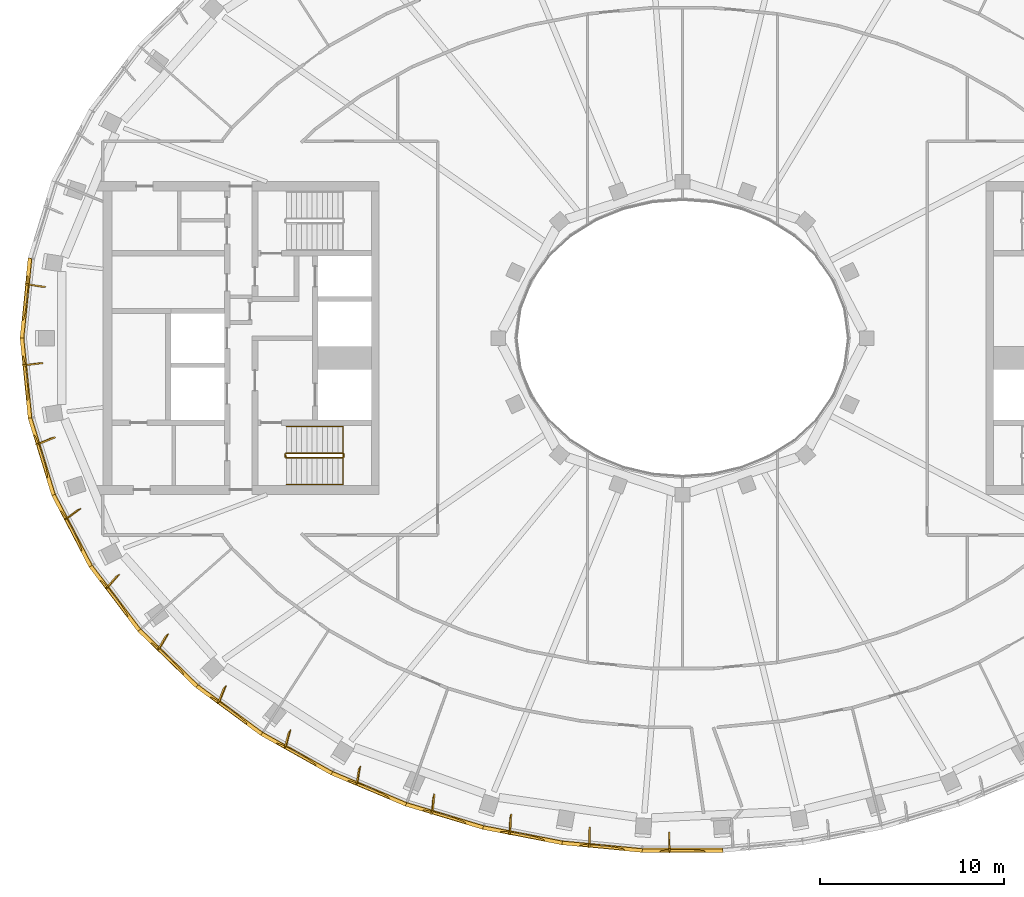
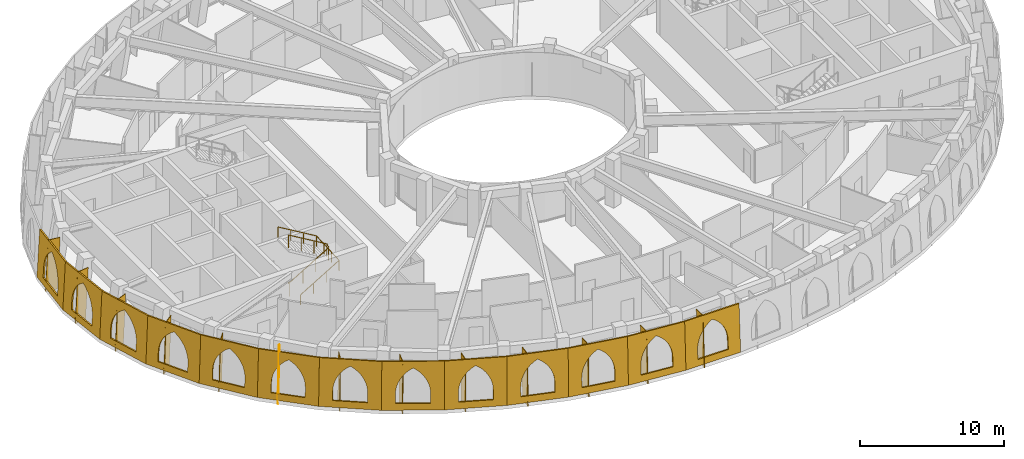
# One storey, part 12 of 15: 26 coverings, 2 railings.
"""IFC4 building model written with IfcOpenShell, lengths in metres."""

from ifc_helpers import new_model, si_unit, direction, frame, origin, origin_2d, place, context, subcontext, project, spatial, polyline, rectangle, outline, extrude, material, layer, layer_set, type_object, element, save


model = new_model("IFC4")

# Units and contexts
model_context = context("Model", 3, precision=1e-05, world=origin(), true_north=direction((0.0, 1.0)))
body_context = subcontext(model_context, "Body", "Model", "MODEL_VIEW")
ifc_project = project(units=[si_unit("LENGTHUNIT", "METRE"), si_unit("AREAUNIT", "SQUARE_METRE"), si_unit("VOLUMEUNIT", "CUBIC_METRE"), si_unit("PLANEANGLEUNIT", "RADIAN"), si_unit("MASSUNIT", "GRAM", prefix="KILO")], contexts=[model_context])

# Site, building, storey
site_placement = place(None, origin())
site = spatial("IfcSite", under=ifc_project, at=site_placement, CompositionType="ELEMENT")
building_placement = place(site_placement, origin())
building = spatial("IfcBuilding", under=site, at=building_placement, Name="Noorbagh Ring Tower", CompositionType="ELEMENT")
storey_placement = place(building_placement, frame((0.0, 0.0, 331.0)))
storey = spatial("IfcBuildingStorey", under=building, at=storey_placement, Name="L72", CompositionType="ELEMENT", Elevation=331.0)

# Railings
ifc_material_1 = material(Name="Stainless steel", Category="steel")
railing_type_1 = type_object("IfcRailingType", Name="CORE-STAIR-GUARD", PredefinedType="GUARDRAIL", material=ifc_material_1)
railing_1_placement = place(storey_placement, frame((-21.580078125, -6.449951171875, 0.0)))
element("IfcRailing", 1, at=railing_1_placement, inside=storey, type_object=railing_type_1, Name="L72 ST2 stair guard", PredefinedType="GUARDRAIL", context=body_context, shape_type="SweptSolid", body=[
    extrude(rectangle(XDim=0.048095703125, YDim=0.048095703125, at=origin_2d()), frame((0.0, 0.0, 1.076171875), z_axis=(0.0, 1.0, 0.0), x_axis=(-1.0, 0.0, 0.0)), (0.0, 0.0, 1.0), 0.14990234375),
    extrude(rectangle(XDim=0.048095703125, YDim=0.048095703125, at=origin_2d()), frame((0.0, 0.14990234375, 1.076171875), z_axis=(0.188775798145, -0.754182335027, 0.628945707965), x_axis=(0.970072785993, 0.242814311512, 0.0)), (0.0, 0.0, 1.0), 0.26513671875),
    extrude(rectangle(XDim=0.048095703125, YDim=0.048095703125, at=origin_2d()), frame((0.050048828125, -0.050048828125, 1.24267578125), z_axis=(0.859308565015, 0.0, 0.511457515432), x_axis=(0.0, 1.0, 0.0)), (0.0, 0.0, 1.0), 3.58447265625),
    extrude(rectangle(XDim=0.048095703125, YDim=0.048095703125, at=origin_2d()), frame((3.130126953125, -0.050048828125, 3.076171875), z_axis=(0.707106781187, 0.707106781187, 0.0), x_axis=(-0.707106781187, 0.707106781187, 0.0)), (0.0, 0.0, 1.0), 0.07080078125),
    extrude(rectangle(XDim=0.048095703125, YDim=0.048095703125, at=origin_2d()), frame((3.18017578125, 0.0, 3.076171875), z_axis=(0.0, 1.0, 0.0), x_axis=(-1.0, 0.0, 0.0)), (0.0, 0.0, 1.0), 0.14990234375),
    extrude(rectangle(XDim=0.048095703125, YDim=0.048095703125, at=origin_2d()), frame((3.18017578125, 0.14990234375, 3.076171875), z_axis=(-0.27628659633, 0.27628659633, 0.920506074601), x_axis=(-0.707106781187, -0.707106781187, 0.0)), (0.0, 0.0, 1.0), 0.18115234375),
    extrude(rectangle(XDim=0.048095703125, YDim=0.048095703125, at=origin_2d()), frame((3.130126953125, 0.199951171875, 3.24267578125), z_axis=(-0.859308565015, 0.0, 0.511457515432), x_axis=(0.0, -1.0, 0.0)), (0.0, 0.0, 1.0), 3.58447265625),
    extrude(rectangle(XDim=0.0419921875, YDim=0.0419921875, at=origin_2d()), origin(), (0.0, 0.0, 1.0), 1.052001953125),
    extrude(rectangle(XDim=0.0419921875, YDim=0.0419921875, at=origin_2d()), frame((1.07666015625, -0.050048828125, 0.77783203125)), (0.0, 0.0, 1.0), 1.052001953125),
    extrude(rectangle(XDim=0.0419921875, YDim=0.0419921875, at=origin_2d()), frame((2.103515625, -0.050048828125, 1.388916015625)), (0.0, 0.0, 1.0), 1.052001953125),
    extrude(rectangle(XDim=0.0419921875, YDim=0.0419921875, at=origin_2d()), frame((3.130126953125, -0.050048828125, 2.0)), (0.0, 0.0, 1.0), 1.052001953125),
    extrude(rectangle(XDim=0.0419921875, YDim=0.0419921875, at=origin_2d()), frame((3.130126953125, 0.199951171875, 2.166748046875)), (0.0, 0.0, 1.0), 1.052001953125),
    extrude(rectangle(XDim=0.0419921875, YDim=0.0419921875, at=origin_2d()), frame((2.103515625, 0.199951171875, 2.77783203125)), (0.0, 0.0, 1.0), 1.052001953125),
    extrude(rectangle(XDim=0.0419921875, YDim=0.0419921875, at=origin_2d()), frame((1.07666015625, 0.199951171875, 3.388916015625)), (0.0, 0.0, 1.0), 1.052001953125),
    extrude(rectangle(XDim=0.0419921875, YDim=0.0419921875, at=origin_2d()), frame((0.050048828125, 0.199951171875, 4.0)), (0.0, 0.0, 1.0), 1.052001953125),
])
ifc_material_2 = material(Name="Stainless steel", Category="steel")
railing_type_2 = type_object("IfcRailingType", Name="CORE-STAIR-HANDRAIL", PredefinedType="HANDRAIL", material=ifc_material_2)
railing_2_placement = place(storey_placement, frame((-21.530029296875, -7.949951171875, 0.166748046875)))
element("IfcRailing", 2, at=railing_2_placement, inside=storey, type_object=railing_type_2, Name="L72 ST2 stair handrail", PredefinedType="HANDRAIL", context=body_context, shape_type="SweptSolid", body=[
    extrude(rectangle(XDim=0.048095703125, YDim=0.048095703125, at=origin_2d()), frame((0.0, 0.0, 0.8759765625), z_axis=(0.859308565015, 0.0, 0.511457515432), x_axis=(0.0, 1.0, 0.0)), (0.0, 0.0, 1.0), 3.58447265625),
    extrude(rectangle(XDim=0.048095703125, YDim=0.048095703125, at=origin_2d()), frame((3.080078125, 0.0, 2.708984375), z_axis=(0.0, 0.998601747152, 0.052863509014), x_axis=(-1.0, 0.0, 0.0)), (0.0, 0.0, 1.0), 3.154296875),
    extrude(rectangle(XDim=0.048095703125, YDim=0.048095703125, at=origin_2d()), frame((3.080078125, 3.14990234375, 2.8759765625), z_axis=(-0.859308565015, 0.0, 0.511457515432), x_axis=(0.0, -1.0, 0.0)), (0.0, 0.0, 1.0), 3.58447265625),
    extrude(rectangle(XDim=0.0419921875, YDim=0.0419921875, at=origin_2d()), origin(), (0.0, 0.0, 1.0), 0.851806640625),
    extrude(rectangle(XDim=0.0419921875, YDim=0.0419921875, at=origin_2d()), frame((1.026611328125, 0.0, 0.611083984375)), (0.0, 0.0, 1.0), 0.851806640625),
    extrude(rectangle(XDim=0.0419921875, YDim=0.0419921875, at=origin_2d()), frame((2.053466796875, 0.0, 1.22216796875)), (0.0, 0.0, 1.0), 0.851806640625),
    extrude(rectangle(XDim=0.0419921875, YDim=0.0419921875, at=origin_2d()), frame((3.080078125, 0.0, 1.833251953125)), (0.0, 0.0, 1.0), 0.851806640625),
    extrude(rectangle(XDim=0.0419921875, YDim=0.0419921875, at=origin_2d()), frame((3.080078125, 1.050048828125, 1.888916015625)), (0.0, 0.0, 1.0), 0.851806640625),
    extrude(rectangle(XDim=0.0419921875, YDim=0.0419921875, at=origin_2d()), frame((3.080078125, 2.099853515625, 1.9443359375)), (0.0, 0.0, 1.0), 0.851806640625),
    extrude(rectangle(XDim=0.0419921875, YDim=0.0419921875, at=origin_2d()), frame((3.080078125, 3.14990234375, 2.0)), (0.0, 0.0, 1.0), 0.851806640625),
    extrude(rectangle(XDim=0.0419921875, YDim=0.0419921875, at=origin_2d()), frame((2.053466796875, 3.14990234375, 2.611083984375)), (0.0, 0.0, 1.0), 0.851806640625),
    extrude(rectangle(XDim=0.0419921875, YDim=0.0419921875, at=origin_2d()), frame((1.026611328125, 3.14990234375, 3.22216796875)), (0.0, 0.0, 1.0), 0.851806640625),
    extrude(rectangle(XDim=0.0419921875, YDim=0.0419921875, at=origin_2d()), frame((0.0, 3.14990234375, 3.833251953125)), (0.0, 0.0, 1.0), 0.851806640625),
])

# Coverings
ifc_material_3 = material(Name="Aluminium 6063-T6 black anodised", Category="aluminium")
ifc_layer_1 = layer(ifc_material_3, 0.050048828125)
ifc_layer_set_1 = layer_set([ifc_layer_1], Name="Aluminium 6063-T6 black anodised")
covering_type_1 = type_object("IfcCoveringType", Name="STYLE-HEAD-FIN", PredefinedType="CLADDING", material=ifc_layer_set_1)
covering_1_placement = place(storey_placement, frame((-35.72314453125, 2.9072265625, -0.31494140625), z_axis=(-0.147437986241, -0.989068809266, 0.00222052913), x_axis=(0.049724271434, -0.005170008208, 0.998749602175)))
element("IfcCovering", 3, at=covering_1_placement, inside=storey, type_object=covering_type_1, Name="Fin rib F23 L72", ObjectType="FIN", PredefinedType="CLADDING", context=body_context, shape_type="SweptSolid", body=[
    extrude(outline(polyline([(0.0, 0.0), (4.320343822865375, 0.0), (4.365291864397006, -0.8988671743970689), (0.04494677932259461, -0.8988311968471917), (0.0, 0.0)])), origin(), (0.0, 0.0, -1.0), 0.050048828125),
])
covering_2_placement = place(storey_placement, frame((-35.869384765625, -1.45458984375, -0.31494140625), z_axis=(-0.123967256575, 0.992280578887, 0.003372248733), x_axis=(0.049785220791, 0.002825494937, 0.998755950355)))
element("IfcCovering", 4, at=covering_2_placement, inside=storey, type_object=covering_type_1, Name="Fin rib F24 L72", ObjectType="FIN", PredefinedType="CLADDING", context=body_context, shape_type="SweptSolid", body=[
    extrude(outline(polyline([(0.0, 0.0), (4.320316093953795, -2.7755575615628914e-17), (4.3650928490417416, 0.8988943311829148), (0.04477675508794575, 0.8988943311829148), (0.0, 0.0)])), origin(), (0.0, 0.0, -1.0), 0.050048828125),
])
covering_3_placement = place(storey_placement, frame((-35.1494140625, -5.760009765625, -0.31494140625), z_axis=(-0.380407755071, 0.924777355376, 0.008762583256), x_axis=(0.048612859224, 0.01053331601, 0.998762153454)))
element("IfcCovering", 5, at=covering_3_placement, inside=storey, type_object=covering_type_1, Name="Fin rib F25 L72", ObjectType="FIN", PredefinedType="CLADDING", context=body_context, shape_type="SweptSolid", body=[
    extrude(outline(polyline([(0.0, 0.0), (4.320287863567138, -5.551115123125783e-17), (4.36436441605748, 0.8990579126163802), (0.04406725572686171, 0.8989253009266853), (0.0, 0.0)])), origin(), (0.0, 0.0, -1.0), 0.050048828125),
])
covering_4_placement = place(storey_placement, frame((-33.61962890625, -9.851318359375, -0.31494140625), z_axis=(-0.594792868756, 0.803770481787, 0.013208174929), x_axis=(0.046328594773, 0.017870818806, 0.99876638667)))
element("IfcCovering", 6, at=covering_4_placement, inside=storey, type_object=covering_type_1, Name="Fin rib F26 L72", ObjectType="FIN", PredefinedType="CLADDING", context=body_context, shape_type="SweptSolid", body=[
    extrude(outline(polyline([(0.0, 0.0), (4.320271910268459, 0.0), (4.363353534281039, 0.8989375491541148), (0.04309293470466303, 0.8991334824790429), (0.0, 0.0)])), origin(), (0.0, 0.0, -1.0), 0.050048828125),
])
covering_5_placement = place(storey_placement, frame((-31.385009765625, -13.608642578125, -0.31494140625), z_axis=(-0.755214781516, 0.655269855321, 0.016493953047), x_axis=(0.043131535722, 0.024569958976, 0.998767234015)))
element("IfcCovering", 7, at=covering_5_placement, inside=storey, type_object=covering_type_1, Name="Fin rib F27 L72", ObjectType="FIN", PredefinedType="CLADDING", context=body_context, shape_type="SweptSolid", body=[
    extrude(outline(polyline([(0.0, 0.0), (4.320265963841156, 0.0), (4.362406724606096, 0.8989521104898888), (0.04214675929008034, 0.8991364354869462), (0.0, 0.0)])), origin(), (0.0, 0.0, -1.0), 0.050048828125),
])
covering_6_placement = place(storey_placement, frame((-28.5703125, -16.95751953125, -0.31494140625), z_axis=(-0.863729704312, 0.503616267605, 0.018483854928), x_axis=(0.039140773983, 0.03047150993, 0.998768985749)))
element("IfcCovering", 8, at=covering_6_placement, inside=storey, type_object=covering_type_1, Name="Fin rib F28 L72", ObjectType="FIN", PredefinedType="CLADDING", context=body_context, shape_type="SweptSolid", body=[
    extrude(outline(polyline([(0.0, 0.0), (4.320261658778037, 0.0), (4.361684159786144, 0.8988157411742396), (0.04143205686112905, 0.8989384054998826), (0.0, 0.0)])), origin(), (0.0, 0.0, -1.0), 0.050048828125),
])
covering_7_placement = place(storey_placement, frame((-25.29541015625, -19.862548828125, -0.31494140625), z_axis=(-0.930726653952, 0.365211551667, 0.019194221858), x_axis=(0.034550445535, 0.035558580398, 0.998770170797)))
element("IfcCovering", 9, at=covering_7_placement, inside=storey, type_object=covering_type_1, Name="Fin rib F29 L72", ObjectType="FIN", PredefinedType="CLADDING", context=body_context, shape_type="SweptSolid", body=[
    extrude(outline(polyline([(0.0, 0.0), (4.320257621679663, 0.0), (4.361405558109073, 0.8990852075184764), (0.04114769030273465, 0.8989469835674277), (0.0, 0.0)])), origin(), (0.0, 0.0, -1.0), 0.050048828125),
])
covering_8_placement = place(storey_placement, frame((-21.665283203125, -22.312744140625, -0.31494140625), z_axis=(-0.96817608092, 0.249571867315, 0.018680454453), x_axis=(0.029554993028, 0.039896415062, 0.998766628624)))
element("IfcCovering", 10, at=covering_8_placement, inside=storey, type_object=covering_type_1, Name="Fin rib F30 L72", ObjectType="FIN", PredefinedType="CLADDING", context=body_context, shape_type="SweptSolid", body=[
    extrude(outline(polyline([(0.0, 0.0), (4.320269903486906, 2.7755575615628914e-17), (4.361671490142717, 0.8988687332414541), (0.04140158665581105, 0.8988687332414541), (0.0, 0.0)])), origin(), (0.0, 0.0, -1.0), 0.050048828125),
])
covering_9_placement = place(storey_placement, frame((-17.7666015625, -24.311279296875, -0.31494140625), z_axis=(-0.987102798737, 0.159183885401, 0.016986917159), x_axis=(0.024186454971, 0.043399993966, 0.998764965305)))
element("IfcCovering", 11, at=covering_9_placement, inside=storey, type_object=covering_type_1, Name="Fin rib F31 L72", ObjectType="FIN", PredefinedType="CLADDING", context=body_context, shape_type="SweptSolid", body=[
    extrude(outline(polyline([(0.0, 0.0), (4.32027709836062, 0.0), (4.362311626462117, 0.8991711253754271), (0.04203452810149622, 0.8991711253754269), (0.0, 0.0)])), origin(), (0.0, 0.0, -1.0), 0.050048828125),
])
covering_10_placement = place(storey_placement, frame((-13.669921875, -25.86669921875, -0.31494140625), z_axis=(-0.995610291718, 0.092495057751, 0.014311230426), x_axis=(0.018650887525, 0.046224902455, 0.998756928781)))
element("IfcCovering", 12, at=covering_10_placement, inside=storey, type_object=covering_type_1, Name="Fin rib F32 L72", ObjectType="FIN", PredefinedType="CLADDING", context=body_context, shape_type="SweptSolid", body=[
    extrude(outline(polyline([(0.0, 0.0), (4.320311699795511, 2.7755575615628914e-17), (4.363281754643001, 0.8988289392166375), (0.04298134022406647, 0.8990717711488562), (0.0, 0.0)])), origin(), (0.0, 0.0, -1.0), 0.050048828125),
])
covering_11_placement = place(storey_placement, frame((-9.43310546875, -26.98876953125, -0.31494140625), z_axis=(-0.998904517796, 0.045571204071, 0.010631542043), x_axis=(0.012829023445, 0.048202848236, 0.998755175996)))
element("IfcCovering", 13, at=covering_11_placement, inside=storey, type_object=covering_type_1, Name="Fin rib F33 L72", ObjectType="FIN", PredefinedType="CLADDING", context=body_context, shape_type="SweptSolid", body=[
    extrude(outline(polyline([(0.0, 0.0), (4.320319384381297, 2.7755575615628914e-17), (4.364176357805257, 0.89879163744508), (0.043868741697455006, 0.8990352403380919), (0.0, 0.0)])), origin(), (0.0, 0.0, -1.0), 0.050048828125),
])
covering_12_placement = place(storey_placement, frame((-5.105712890625, -27.685791015625, -0.31494140625), z_axis=(-0.99989718211, 0.012885272965, 0.006292451678), x_axis=(0.006922445275, 0.049446360211, 0.998752790841)))
element("IfcCovering", 14, at=covering_12_placement, inside=storey, type_object=covering_type_1, Name="Fin rib F34 L72", ObjectType="FIN", PredefinedType="CLADDING", context=body_context, shape_type="SweptSolid", body=[
    extrude(outline(polyline([(0.0, 0.0), (4.320330530098316, 2.7755575615628914e-17), (4.364906857897705, 0.8988708645010566), (0.0445780178495053, 0.8988739304345287), (0.0, 0.0)])), origin(), (0.0, 0.0, -1.0), 0.050048828125),
])
covering_13_placement = place(storey_placement, frame((-0.731201171875, -27.9638671875, -0.31494140625), z_axis=(-0.999929228315, -0.011798975026, 0.001523991495), x_axis=(0.000932076751, 0.050010535602, 0.998748255349)))
element("IfcCovering", 15, at=covering_13_placement, inside=storey, type_object=covering_type_1, Name="Fin rib F35 L72", ObjectType="FIN", PredefinedType="CLADDING", context=body_context, shape_type="SweptSolid", body=[
    extrude(outline(polyline([(0.0, 0.0), (4.320349568931261, -2.7755575615628914e-17), (4.365344154588084, 0.8988409730802553), (0.04500702281804181, 0.8990818955830328), (0.0, 0.0)])), origin(), (0.0, 0.0, -1.0), 0.050048828125),
])
ifc_material_4 = material(Name="Red sandstone jali", Category="masonry")
ifc_layer_2 = layer(ifc_material_4, 0.1201171875)
ifc_layer_set_2 = layer_set([ifc_layer_2], Name="Red sandstone jali")
covering_type_2 = type_object("IfcCoveringType", Name="STYLE-HEAD-SKIN", PredefinedType="CLADDING", material=ifc_layer_set_2)
covering_14_placement = place(storey_placement, frame((-35.561279296875, 4.358642578125, 0.0), z_axis=(-0.993725252592, 0.10004845283, 0.050004294287), x_axis=(-0.100173708751, -0.994969963403, 1.228284e-06)))
element("IfcCovering", 16, at=covering_14_placement, inside=storey, type_object=covering_type_2, Name="Head skin panel", ObjectType="HEAD SKIN", PredefinedType="CLADDING", context=body_context, shape_type="SweptSolid", body=[
    extrude(outline(polyline([(0.0, 0.0), (4.380615234375, 0.0), (4.360595703125, 4.005126953125), (0.01123046875, 4.005126953125), (0.0, 0.0)]), holes=[polyline([(0.971923828125, 0.550048828125), (0.970947265625, 1.345703125), (0.991455078125, 1.66357421875), (1.05322265625, 1.97607421875), (1.155517578125, 2.27783203125), (1.2958984375, 2.563720703125), (1.47265625, 2.82861328125), (1.6826171875, 3.068115234375), (1.921875, 3.278076171875), (2.1865234375, 3.455078125), (2.45166015625, 3.278076171875), (2.69140625, 3.068115234375), (2.901611328125, 2.82861328125), (3.0791015625, 2.563720703125), (3.22021484375, 2.27783203125), (3.322998046875, 1.97607421875), (3.385498046875, 1.66357421875), (3.40673828125, 1.345703125), (3.40771484375, 0.550048828125), (0.971923828125, 0.550048828125)])]), origin(), (0.0, 0.0, -1.0), 0.1201171875),
])
covering_15_placement = place(storey_placement, frame((-36.0, 0.0, 0.0), z_axis=(-0.993734277781, -0.100049361488, 0.049822790254), x_axis=(0.100173709194, -0.994969963358, -1.223837e-06)))
element("IfcCovering", 17, at=covering_15_placement, inside=storey, type_object=covering_type_2, Name="Head skin panel", ObjectType="HEAD SKIN", PredefinedType="CLADDING", context=body_context, shape_type="SweptSolid", body=[
    extrude(outline(polyline([(0.0, 0.0), (4.380615234375, 0.0), (4.369384765625, 4.0048828125), (0.02001953125, 4.0048828125), (0.0, 0.0)]), holes=[polyline([(0.97314453125, 0.550048828125), (0.97412109375, 1.345703125), (0.9951171875, 1.66357421875), (1.0576171875, 1.97607421875), (1.160400390625, 2.27783203125), (1.3017578125, 2.5634765625), (1.47900390625, 2.828369140625), (1.689208984375, 3.068115234375), (1.92919921875, 3.278076171875), (2.194091796875, 3.455078125), (2.458984375, 3.278076171875), (2.6982421875, 3.068115234375), (2.907958984375, 2.828369140625), (3.084716796875, 2.5634765625), (3.225341796875, 2.27783203125), (3.327392578125, 1.97607421875), (3.38916015625, 1.66357421875), (3.40966796875, 1.345703125), (3.40869140625, 0.550048828125), (0.97314453125, 0.550048828125)])]), origin(), (0.0, 0.0, -1.0), 0.1201171875),
])
covering_16_placement = place(storey_placement, frame((-35.561279296875, -4.358642578125, 0.0), z_axis=(-0.955189691899, -0.291812321825, 0.049580453014), x_axis=(0.29217173801, -0.956365869061, 1.767766e-06)))
element("IfcCovering", 18, at=covering_16_placement, inside=storey, type_object=covering_type_2, Name="Head skin panel", ObjectType="HEAD SKIN", PredefinedType="CLADDING", context=body_context, shape_type="SweptSolid", body=[
    extrude(outline(polyline([(0.0, 0.0), (4.38134765625, 0.0), (4.378662109375, 4.0048828125), (0.028076171875, 4.0048828125), (0.0, 0.0)]), holes=[polyline([(0.97412109375, 0.550048828125), (0.976806640625, 1.34521484375), (0.99853515625, 1.6630859375), (1.061767578125, 1.9755859375), (1.1650390625, 2.27734375), (1.306884765625, 2.563232421875), (1.48486328125, 2.828125), (1.69580078125, 3.06787109375), (1.93603515625, 3.27783203125), (2.20166015625, 3.455078125), (2.466064453125, 3.27783203125), (2.704833984375, 3.06787109375), (2.914306640625, 2.828125), (3.090576171875, 2.563232421875), (3.23046875, 2.27734375), (3.33203125, 1.9755859375), (3.393310546875, 1.6630859375), (3.4130859375, 1.34521484375), (3.410400390625, 0.550048828125), (0.97412109375, 0.550048828125)])]), origin(), (0.0, 0.0, -1.0), 0.1201171875),
])
covering_17_placement = place(storey_placement, frame((-34.281005859375, -8.548828125, 0.0), z_axis=(-0.885655776281, -0.461713503039, 0.049340521399), x_axis=(0.462276558435, -0.886735802549, 2.13863e-07)))
element("IfcCovering", 19, at=covering_17_placement, inside=storey, type_object=covering_type_2, Name="Head skin panel", ObjectType="HEAD SKIN", PredefinedType="CLADDING", context=body_context, shape_type="SweptSolid", body=[
    extrude(outline(polyline([(0.0, 0.0), (4.38232421875, 0.0), (4.38623046875, 4.0048828125), (0.033935546875, 4.0048828125), (0.0, 0.0)]), holes=[polyline([(0.97509765625, 0.550048828125), (0.97900390625, 1.343994140625), (1.001220703125, 1.662353515625), (1.06494140625, 1.97509765625), (1.168701171875, 2.27685546875), (1.311279296875, 2.562744140625), (1.489501953125, 2.827880859375), (1.700927734375, 3.067626953125), (1.941650390625, 3.27783203125), (2.20751953125, 3.454833984375), (2.4716796875, 3.27783203125), (2.71044921875, 3.067626953125), (2.919677734375, 2.827880859375), (3.095458984375, 2.562744140625), (3.235107421875, 2.27685546875), (3.336181640625, 1.97509765625), (3.39697265625, 1.662353515625), (3.416259765625, 1.343994140625), (3.412353515625, 0.550048828125), (0.97509765625, 0.550048828125)])]), origin(), (0.0, 0.0, -1.0), 0.1201171875),
])
covering_18_placement = place(storey_placement, frame((-32.255126953125, -12.434814453125, 0.0), z_axis=(-0.79599848454, -0.603298925036, 0.049161160085), x_axis=(0.604029260729, -0.796962139742, -5.29737e-07)))
element("IfcCovering", 20, at=covering_18_placement, inside=storey, type_object=covering_type_2, Name="Head skin panel", ObjectType="HEAD SKIN", PredefinedType="CLADDING", context=body_context, shape_type="SweptSolid", body=[
    extrude(outline(polyline([(0.0, 0.0), (4.383056640625, 0.0), (4.39208984375, 4.0048828125), (0.037353515625, 4.0048828125), (0.0, 0.0)]), holes=[polyline([(0.9755859375, 0.550048828125), (0.980224609375, 1.343017578125), (1.0029296875, 1.661376953125), (1.06689453125, 1.97412109375), (1.171142578125, 2.2763671875), (1.31396484375, 2.562255859375), (1.49267578125, 2.82763671875), (1.704345703125, 3.0673828125), (1.9453125, 3.277587890625), (2.211669921875, 3.454833984375), (2.475830078125, 3.277587890625), (2.71435546875, 3.0673828125), (2.92333984375, 2.82763671875), (3.09912109375, 2.562255859375), (3.238525390625, 2.2763671875), (3.339111328125, 1.97412109375), (3.399658203125, 1.661376953125), (3.418701171875, 1.343017578125), (3.4140625, 0.550048828125), (0.9755859375, 0.550048828125)])]), origin(), (0.0, 0.0, -1.0), 0.1201171875),
])
covering_19_placement = place(storey_placement, frame((-29.607666015625, -15.927978515625, 0.0), z_axis=(-0.696011390946, -0.716348570953, 0.049120958523), x_axis=(0.717214320942, -0.696852651451, -1.300997e-06)))
element("IfcCovering", 21, at=covering_19_placement, inside=storey, type_object=covering_type_2, Name="Head skin panel", ObjectType="HEAD SKIN", PredefinedType="CLADDING", context=body_context, shape_type="SweptSolid", body=[
    extrude(outline(polyline([(0.0, 0.0), (4.384521484375, 0.0), (4.3955078125, 4.0048828125), (0.0390625, 4.0048828125), (0.0, 0.0)]), holes=[polyline([(0.9755859375, 0.550048828125), (0.980712890625, 1.342041015625), (1.00341796875, 1.66064453125), (1.067626953125, 1.9736328125), (1.172119140625, 2.275634765625), (1.315185546875, 2.56201171875), (1.493896484375, 2.827392578125), (1.705810546875, 3.067138671875), (1.947265625, 3.277587890625), (2.213623046875, 3.454833984375), (2.477783203125, 3.277587890625), (2.71630859375, 3.067138671875), (2.92529296875, 2.827392578125), (3.10107421875, 2.56201171875), (3.240478515625, 2.275634765625), (3.341064453125, 1.9736328125), (3.4013671875, 1.66064453125), (3.42041015625, 1.342041015625), (3.415283203125, 0.550048828125), (0.9755859375, 0.550048828125)])]), origin(), (0.0, 0.0, -1.0), 0.1201171875),
])
covering_20_placement = place(storey_placement, frame((-26.463134765625, -18.9833984375, 0.0), z_axis=(-0.592330447647, -0.804193803126, 0.049162666773), x_axis=(0.805167441426, -0.593047545537, 6.088e-07)))
element("IfcCovering", 22, at=covering_20_placement, inside=storey, type_object=covering_type_2, Name="Head skin panel", ObjectType="HEAD SKIN", PredefinedType="CLADDING", context=body_context, shape_type="SweptSolid", body=[
    extrude(outline(polyline([(0.0, 0.0), (4.384765625, 0.0), (4.39599609375, 4.0048828125), (0.0380859375, 4.0048828125), (0.0, 0.0)]), holes=[polyline([(0.9755859375, 0.550048828125), (0.98046875, 1.34130859375), (1.00341796875, 1.659912109375), (1.0673828125, 1.972900390625), (1.172119140625, 2.275390625), (1.31494140625, 2.5615234375), (1.493896484375, 2.826904296875), (1.705810546875, 3.067138671875), (1.947265625, 3.277587890625), (2.213623046875, 3.454833984375), (2.47802734375, 3.277587890625), (2.716796875, 3.067138671875), (2.92578125, 2.826904296875), (3.1015625, 2.5615234375), (3.240966796875, 2.275390625), (3.341796875, 1.972900390625), (3.402099609375, 1.659912109375), (3.4208984375, 1.34130859375), (3.416015625, 0.550048828125), (0.9755859375, 0.550048828125)])]), origin(), (0.0, 0.0, -1.0), 0.1201171875),
])
covering_21_placement = place(storey_placement, frame((-22.9326171875, -21.583740234375, 0.0), z_axis=(-0.488867790187, -0.870966542693, 0.049250027689), x_axis=(0.872024799365, -0.489461693383, 1.57944e-06)))
element("IfcCovering", 23, at=covering_21_placement, inside=storey, type_object=covering_type_2, Name="Head skin panel", ObjectType="HEAD SKIN", PredefinedType="CLADDING", context=body_context, shape_type="SweptSolid", body=[
    extrude(outline(polyline([(0.0, 0.0), (4.3857421875, 0.0), (4.39501953125, 4.0048828125), (0.035888671875, 4.0048828125), (0.0, 0.0)]), holes=[polyline([(0.97509765625, 0.550048828125), (0.979736328125, 1.3408203125), (1.00244140625, 1.659423828125), (1.06640625, 1.97265625), (1.1708984375, 2.27490234375), (1.313720703125, 2.561279296875), (1.49267578125, 2.826904296875), (1.70458984375, 3.06689453125), (1.94580078125, 3.277587890625), (2.21240234375, 3.454833984375), (2.476806640625, 3.277587890625), (2.7158203125, 3.06689453125), (2.9248046875, 2.826904296875), (3.100830078125, 2.561279296875), (3.240478515625, 2.27490234375), (3.34130859375, 1.97265625), (3.40185546875, 1.659423828125), (3.4208984375, 1.3408203125), (3.41650390625, 0.550048828125), (0.97509765625, 0.550048828125)])]), origin(), (0.0, 0.0, -1.0), 0.1201171875),
])
covering_22_placement = place(storey_placement, frame((-19.108154296875, -23.730224609375, 0.0), z_axis=(-0.387170228945, -0.920682830737, 0.049420026363), x_axis=(0.921809199113, -0.387643909317, -2.64757e-07)))
element("IfcCovering", 24, at=covering_22_placement, inside=storey, type_object=covering_type_2, Name="Head skin panel", ObjectType="HEAD SKIN", PredefinedType="CLADDING", context=body_context, shape_type="SweptSolid", body=[
    extrude(outline(polyline([(0.0, 0.0), (4.385986328125, 0.0), (4.392578125, 4.0048828125), (0.0322265625, 4.0048828125), (0.0, 0.0)]), holes=[polyline([(0.974609375, 0.550048828125), (0.978515625, 1.34033203125), (1.0009765625, 1.658935546875), (1.064697265625, 1.972412109375), (1.1689453125, 2.274658203125), (1.3115234375, 2.561279296875), (1.490478515625, 2.826904296875), (1.7021484375, 3.06689453125), (1.943359375, 3.277587890625), (2.209716796875, 3.455078125), (2.474365234375, 3.277587890625), (2.713623046875, 3.06689453125), (2.923095703125, 2.826904296875), (3.09912109375, 2.561279296875), (3.239013671875, 2.274658203125), (3.340087890625, 1.972412109375), (3.40087890625, 1.658935546875), (3.42041015625, 1.34033203125), (3.41650390625, 0.550048828125), (0.974609375, 0.550048828125)])]), origin(), (0.0, 0.0, -1.0), 0.1201171875),
])
covering_23_placement = place(storey_placement, frame((-15.065185546875, -25.430419921875, 0.0), z_axis=(-0.287802464006, -0.956405166129, 0.049587295889), x_axis=(0.957583181724, -0.288156988601, -6.72818e-07)))
element("IfcCovering", 25, at=covering_23_placement, inside=storey, type_object=covering_type_2, Name="Head skin panel", ObjectType="HEAD SKIN", PredefinedType="CLADDING", context=body_context, shape_type="SweptSolid", body=[
    extrude(outline(polyline([(0.0, 0.0), (4.385986328125, 0.0), (4.388671875, 4.0048828125), (0.027587890625, 4.0048828125), (0.0, 0.0)]), holes=[polyline([(0.97412109375, 0.550048828125), (0.97705078125, 1.340087890625), (0.999267578125, 1.65869140625), (1.062744140625, 1.97216796875), (1.16650390625, 2.274658203125), (1.30908203125, 2.56103515625), (1.487548828125, 2.82666015625), (1.698974609375, 3.06689453125), (1.93994140625, 3.277587890625), (2.206298828125, 3.455078125), (2.47119140625, 3.277587890625), (2.710693359375, 3.06689453125), (2.92041015625, 2.82666015625), (3.0966796875, 2.56103515625), (3.237060546875, 2.274658203125), (3.33837890625, 1.97216796875), (3.399658203125, 1.65869140625), (3.419189453125, 1.340087890625), (3.416259765625, 0.550048828125), (0.97412109375, 0.550048828125)])]), origin(), (0.0, 0.0, -1.0), 0.1201171875),
])
covering_24_placement = place(storey_placement, frame((-10.865234375, -26.6943359375, 0.0), z_axis=(-0.190584980953, -0.9804101748, 0.049731822647), x_axis=(0.98162483332, -0.190821085339, 3.32356e-07)))
element("IfcCovering", 26, at=covering_24_placement, inside=storey, type_object=covering_type_2, Name="Head skin panel", ObjectType="HEAD SKIN", PredefinedType="CLADDING", context=body_context, shape_type="SweptSolid", body=[
    extrude(outline(polyline([(0.0, 0.0), (4.385986328125, 0.0), (4.38427734375, 4.0048828125), (0.02294921875, 4.0048828125), (0.0, 0.0)]), holes=[polyline([(0.973388671875, 0.550048828125), (0.975341796875, 1.33984375), (0.997314453125, 1.65869140625), (1.060302734375, 1.971923828125), (1.163818359375, 2.2744140625), (1.305908203125, 2.56103515625), (1.484130859375, 2.82666015625), (1.6953125, 3.06689453125), (1.93603515625, 3.277587890625), (2.202392578125, 3.455078125), (2.46728515625, 3.277587890625), (2.70703125, 3.06689453125), (2.9169921875, 2.82666015625), (3.093994140625, 2.56103515625), (3.234375, 2.2744140625), (3.336181640625, 1.971923828125), (3.397705078125, 1.65869140625), (3.41796875, 1.33984375), (3.415771484375, 0.550048828125), (0.973388671875, 0.550048828125)])]), origin(), (0.0, 0.0, -1.0), 0.1201171875),
])
covering_25_placement = place(storey_placement, frame((-6.559814453125, -27.53125, 0.0), z_axis=(-0.094902814294, -0.994235885903, 0.049884456709), x_axis=(0.995475260678, -0.095021078593, 7.52626e-07)))
element("IfcCovering", 27, at=covering_25_placement, inside=storey, type_object=covering_type_2, Name="Head skin panel", ObjectType="HEAD SKIN", PredefinedType="CLADDING", context=body_context, shape_type="SweptSolid", body=[
    extrude(outline(polyline([(0.0, 0.0), (4.386474609375, 0.0), (4.379638671875, 4.0048828125), (0.017822265625, 4.0048828125), (0.0, 0.0)]), holes=[polyline([(0.97265625, 0.550048828125), (0.9736328125, 1.339599609375), (0.9951171875, 1.658447265625), (1.0576171875, 1.971923828125), (1.160888671875, 2.2744140625), (1.302490234375, 2.56103515625), (1.48046875, 2.82666015625), (1.69140625, 3.06689453125), (1.931884765625, 3.277587890625), (2.19775390625, 3.455078125), (2.463134765625, 3.277587890625), (2.703125, 3.06689453125), (2.91357421875, 2.82666015625), (3.0908203125, 2.56103515625), (3.231689453125, 2.2744140625), (3.333984375, 1.971923828125), (3.395751953125, 1.658447265625), (3.416259765625, 1.339599609375), (3.415283203125, 0.550048828125), (0.97265625, 0.550048828125)])]), origin(), (0.0, 0.0, -1.0), 0.1201171875),
])
covering_26_placement = place(storey_placement, frame((-2.193115234375, -27.947998046875, 0.0), z_axis=(0.0, -0.99874990542, 0.049986262356), x_axis=(1.0, 0.0, 0.0)))
element("IfcCovering", 28, at=covering_26_placement, inside=storey, type_object=covering_type_2, Name="Head skin panel", ObjectType="HEAD SKIN", PredefinedType="CLADDING", context=body_context, shape_type="SweptSolid", body=[
    extrude(outline(polyline([(0.0, 0.0), (4.38623046875, 0.0), (4.3740234375, 4.005126953125), (0.01220703125, 4.005126953125), (0.0, 0.0)]), holes=[polyline([(0.9716796875, 0.550048828125), (0.9716796875, 1.339599609375), (0.99267578125, 1.658447265625), (1.05517578125, 1.971923828125), (1.15771484375, 2.2744140625), (1.299072265625, 2.56103515625), (1.4765625, 2.82666015625), (1.687255859375, 3.06689453125), (1.927490234375, 3.277587890625), (2.193115234375, 3.455078125), (2.458740234375, 3.277587890625), (2.69921875, 3.06689453125), (2.90966796875, 2.82666015625), (3.08740234375, 2.56103515625), (3.228515625, 2.2744140625), (3.331298828125, 1.971923828125), (3.3935546875, 1.658447265625), (3.41455078125, 1.339599609375), (3.41455078125, 0.550048828125), (0.9716796875, 0.550048828125)])]), origin(), (0.0, 0.0, -1.0), 0.1201171875),
])

save(model, "model.ifc")
